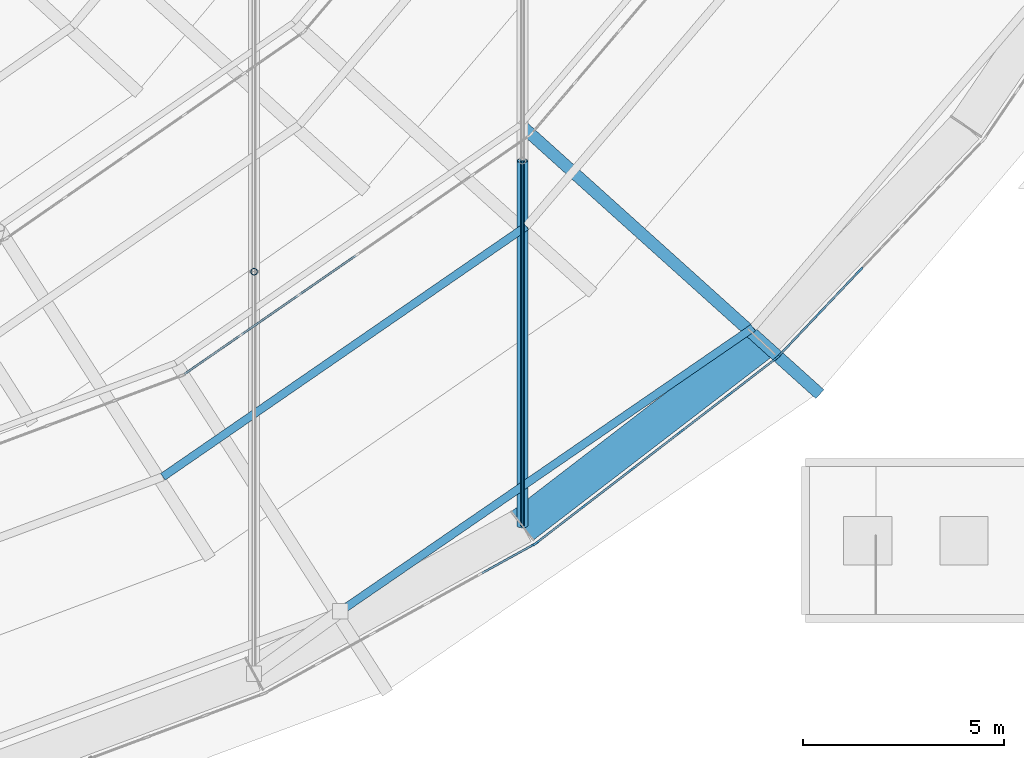
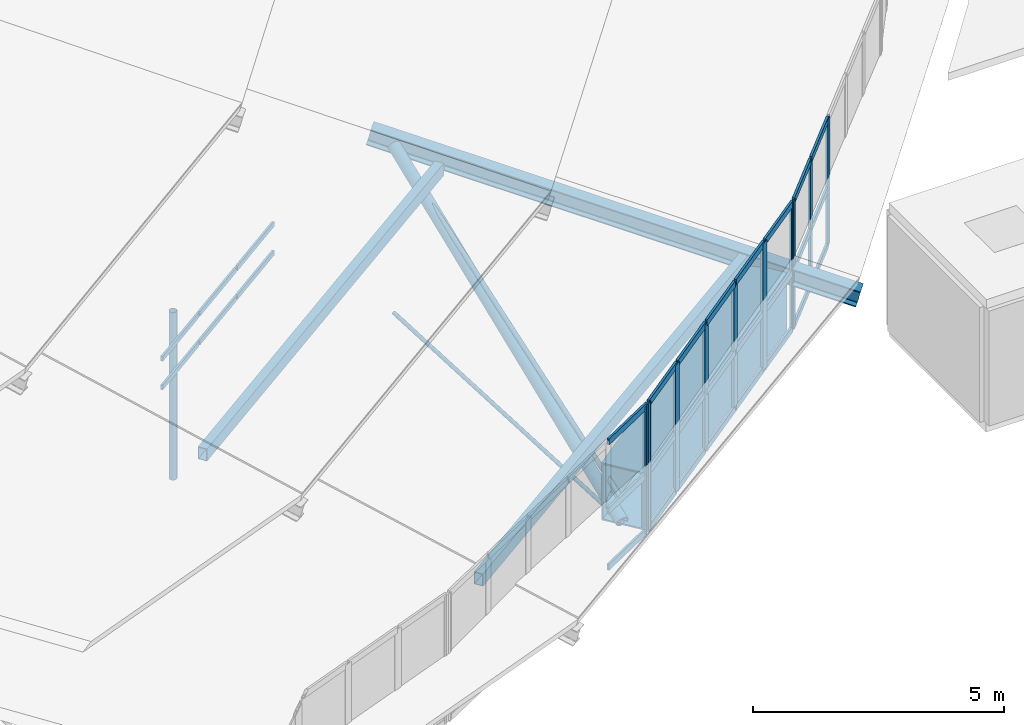
# One storey, part 76 of 173: 47 members, 1 beam, 4 elements without a shape of their own.
"""IFC4 building model written with IfcOpenShell, lengths in metres."""

from ifc_helpers import new_model, si_unit, direction, frame, origin, origin_2d, place, context, subcontext, project, spatial, rectangle, hollow_rectangle, circle, hollow_circle, i_section, extrude, material, material_profile, profile_set, type_object, element, aggregate, save


model = new_model("IFC4")

# Units and contexts
model_context = context("Model", 3, precision=1e-05, world=origin(), true_north=direction((0.0, 1.0)))
body_context = subcontext(model_context, "Body", "Model", "MODEL_VIEW")
ifc_project = project(units=[si_unit("LENGTHUNIT", "METRE"), si_unit("AREAUNIT", "SQUARE_METRE"), si_unit("VOLUMEUNIT", "CUBIC_METRE"), si_unit("PLANEANGLEUNIT", "RADIAN"), si_unit("MASSUNIT", "GRAM", prefix="KILO")], contexts=[model_context])

# Site, building, storey
site_placement = place(None, origin())
site = spatial("IfcSite", under=ifc_project, at=site_placement, CompositionType="ELEMENT")
building_placement = place(site_placement, origin())
building = spatial("IfcBuilding", under=site, at=building_placement, Name="Glasvene Arena", CompositionType="ELEMENT")
storey_placement = place(building_placement, frame((0.0, 0.0, 28.800048828125)))
storey = spatial("IfcBuildingStorey", under=building, at=storey_placement, Name="RF", CompositionType="ELEMENT", Elevation=28.800048828125)

# Beam
ifc_material_1 = material(Name="Steel S355J2", Category="steel")
ifc_material_profile_1 = material_profile(ifc_material_1, hollow_rectangle(XDim=0.89990234375, YDim=1.39990234375, WallThickness=0.034912109375, at=origin_2d()), Name="WBOX 900x1400x35")
ifc_profile_set_1 = profile_set([ifc_material_profile_1], Name="Steel S355J2")
beam_type = type_object("IfcBeamType", Name="BM-RING-BOX1400", PredefinedType="USERDEFINED", material=ifc_profile_set_1)
beam_placement = place(storey_placement, frame((121.389404296875, 36.59423828125, -0.699951171875), z_axis=(0.792826575958, 0.609447307366, 0.0), x_axis=(-0.609447307366, 0.792826575958, 0.0)))
element("IfcBeam", 1, at=beam_placement, inside=storey, type_object=beam_type, Name="Compression ring beam chord RB-35", ObjectType="RING BEAM", PredefinedType="USERDEFINED", context=body_context, shape_type="SweptSolid", body=[
    extrude(hollow_rectangle(XDim=0.89990234375, YDim=1.39990234375, WallThickness=0.034912109375, at=origin_2d()), origin(), (0.0, 0.0, 1.0), 7.524658203125),
])

# Curtain wall, member
ifc_material_2 = material(Name="Low-emissivity laminated double glazing", Category="glass")
curtain_wall_type_1 = type_object("IfcCurtainWallType", Name="CW-DRUM-773x310", PredefinedType="USERDEFINED", material=ifc_material_2)
curtain_wall_1_placement = place(storey_placement, frame((114.94921875, 32.414794921875, 0.0)))
curtain_wall_1 = element("IfcCurtainWall", 2, at=curtain_wall_1_placement, inside=storey, type_object=curtain_wall_type_1, Name="Crown compression-ring fascia curtain wall 34", ObjectType="CURTAIN WALL", PredefinedType="USERDEFINED")
ifc_material_3 = material(Name="Anodised architectural aluminium", Category="aluminium")
ifc_material_profile_2 = material_profile(ifc_material_3, rectangle(XDim=0.050048828125, YDim=0.199951171875, at=origin_2d()), Name="ALU MULLION 50x200")
ifc_profile_set_2 = profile_set([ifc_material_profile_2], Name="Anodised architectural aluminium")
member_type_1 = type_object("IfcMemberType", Name="CW-MUL-180", PredefinedType="MULLION", material=ifc_profile_set_2)
member_1_placement = place(storey_placement, frame((121.690673828125, 36.13720703125, -1.380126953125), z_axis=(0.0, 0.0, 1.0), x_axis=(-0.483387319086, 0.875406591103, 0.0)))
member_1 = element("IfcMember", 3, at=member_1_placement, type_object=member_type_1, Name="CW-077 mullion 6", PredefinedType="MULLION", context=body_context, shape_type="SweptSolid", body=[
    extrude(rectangle(XDim=0.050048828125, YDim=0.199951171875, at=origin_2d()), origin(), (0.0, 0.0, 1.0), 3.10009765625),
])

# Curtain wall, members
curtain_wall_type_2 = type_object("IfcCurtainWallType", Name="CW-DRUM-761x310", PredefinedType="USERDEFINED", material=ifc_material_2)
curtain_wall_2_placement = place(storey_placement, frame((121.71240234375, 36.1494140625, 0.0)))
curtain_wall_2 = element("IfcCurtainWall", 4, at=curtain_wall_2_placement, inside=storey, type_object=curtain_wall_type_2, Name="Crown compression-ring fascia curtain wall 35", ObjectType="CURTAIN WALL", PredefinedType="USERDEFINED")
member_2_placement = place(storey_placement, frame((121.732421875, 36.16455078125, -1.380126953125), z_axis=(0.0, 0.0, 1.0), x_axis=(-0.609894880488, 0.792482324569, 0.0)))
member_2 = element("IfcMember", 5, at=member_2_placement, type_object=member_type_1, Name="CW-076 mullion 1", PredefinedType="MULLION", context=body_context, shape_type="SweptSolid", body=[
    extrude(rectangle(XDim=0.050048828125, YDim=0.199951171875, at=origin_2d()), origin(), (0.0, 0.0, 1.0), 3.10009765625),
])
member_3_placement = place(storey_placement, frame((122.9189453125, 37.07763671875, -1.380126953125), z_axis=(0.0, 0.0, 1.0), x_axis=(-0.609894880488, 0.792482324569, 0.0)))
member_3 = element("IfcMember", 6, at=member_3_placement, type_object=member_type_1, Name="CW-076 mullion 2", PredefinedType="MULLION", context=body_context, shape_type="SweptSolid", body=[
    extrude(rectangle(XDim=0.050048828125, YDim=0.199951171875, at=origin_2d()), origin(), (0.0, 0.0, 1.0), 3.10009765625),
])
member_4_placement = place(storey_placement, frame((124.125244140625, 38.006103515625, -1.380126953125), z_axis=(0.0, 0.0, 1.0), x_axis=(-0.609894880488, 0.792482324569, 0.0)))
member_4 = element("IfcMember", 7, at=member_4_placement, type_object=member_type_1, Name="CW-076 mullion 3", PredefinedType="MULLION", context=body_context, shape_type="SweptSolid", body=[
    extrude(rectangle(XDim=0.050048828125, YDim=0.199951171875, at=origin_2d()), origin(), (0.0, 0.0, 1.0), 3.10009765625),
])
member_5_placement = place(storey_placement, frame((125.33154296875, 38.9345703125, -1.380126953125), z_axis=(0.0, 0.0, 1.0), x_axis=(-0.609894880488, 0.792482324569, 0.0)))
member_5 = element("IfcMember", 8, at=member_5_placement, type_object=member_type_1, Name="CW-076 mullion 4", PredefinedType="MULLION", context=body_context, shape_type="SweptSolid", body=[
    extrude(rectangle(XDim=0.050048828125, YDim=0.199951171875, at=origin_2d()), origin(), (0.0, 0.0, 1.0), 3.10009765625),
])
member_6_placement = place(storey_placement, frame((126.537841796875, 39.86279296875, -1.380126953125), z_axis=(0.0, 0.0, 1.0), x_axis=(-0.609894880488, 0.792482324569, 0.0)))
member_6 = element("IfcMember", 9, at=member_6_placement, type_object=member_type_1, Name="CW-076 mullion 5", PredefinedType="MULLION", context=body_context, shape_type="SweptSolid", body=[
    extrude(rectangle(XDim=0.050048828125, YDim=0.199951171875, at=origin_2d()), origin(), (0.0, 0.0, 1.0), 3.10009765625),
])
member_7_placement = place(storey_placement, frame((127.724365234375, 40.776123046875, -1.380126953125), z_axis=(0.0, 0.0, 1.0), x_axis=(-0.609894880488, 0.792482324569, 0.0)))
member_7 = element("IfcMember", 10, at=member_7_placement, type_object=member_type_1, Name="CW-076 mullion 6", PredefinedType="MULLION", context=body_context, shape_type="SweptSolid", body=[
    extrude(rectangle(XDim=0.050048828125, YDim=0.199951171875, at=origin_2d()), origin(), (0.0, 0.0, 1.0), 3.10009765625),
])

curtain_wall_type_3 = type_object("IfcCurtainWallType", Name="CW-DRUM-749x310", PredefinedType="USERDEFINED", material=ifc_material_2)
curtain_wall_3_placement = place(storey_placement, frame((127.744140625, 40.791259765625, 0.0)))
curtain_wall_3 = element("IfcCurtainWall", 11, at=curtain_wall_3_placement, inside=storey, type_object=curtain_wall_type_3, Name="Crown compression-ring fascia curtain wall 36", ObjectType="CURTAIN WALL", PredefinedType="USERDEFINED")
member_8_placement = place(storey_placement, frame((127.761474609375, 40.809326171875, -1.380126953125), z_axis=(0.0, 0.0, 1.0), x_axis=(-0.725782125252, 0.687924637344, 0.0)))
member_8 = element("IfcMember", 12, at=member_8_placement, type_object=member_type_1, Name="CW-075 mullion 1", PredefinedType="MULLION", context=body_context, shape_type="SweptSolid", body=[
    extrude(rectangle(XDim=0.050048828125, YDim=0.199951171875, at=origin_2d()), origin(), (0.0, 0.0, 1.0), 3.10009765625),
])
member_9_placement = place(storey_placement, frame((128.7744140625, 41.87841796875, -1.380126953125), z_axis=(0.0, 0.0, 1.0), x_axis=(-0.725782125252, 0.687924637344, 0.0)))
member_9 = element("IfcMember", 13, at=member_9_placement, type_object=member_type_1, Name="CW-075 mullion 2", PredefinedType="MULLION", context=body_context, shape_type="SweptSolid", body=[
    extrude(rectangle(XDim=0.050048828125, YDim=0.199951171875, at=origin_2d()), origin(), (0.0, 0.0, 1.0), 3.10009765625),
])
member_10_placement = place(storey_placement, frame((129.804931640625, 42.96533203125, -1.380126953125), z_axis=(0.0, 0.0, 1.0), x_axis=(-0.725782125252, 0.687924637344, 0.0)))
member_10 = element("IfcMember", 14, at=member_10_placement, type_object=member_type_1, Name="CW-075 mullion 3", PredefinedType="MULLION", context=body_context, shape_type="SweptSolid", body=[
    extrude(rectangle(XDim=0.050048828125, YDim=0.199951171875, at=origin_2d()), origin(), (0.0, 0.0, 1.0), 3.10009765625),
])

curtain_wall_type_4 = type_object("IfcCurtainWallType", Name="CW-PET1-1054x75", PredefinedType="USERDEFINED", material=ifc_material_2)
curtain_wall_4_placement = place(storey_placement, frame((112.925048828125, 40.350830078125, 0.0)))
curtain_wall_4 = element("IfcCurtainWall", 15, at=curtain_wall_4_placement, inside=storey, type_object=curtain_wall_type_4, Name="Petal ring 1-2 clerestory curtain wall 21", ObjectType="CURTAIN WALL", PredefinedType="USERDEFINED")
ifc_material_profile_3 = material_profile(ifc_material_3, rectangle(XDim=0.050048828125, YDim=0.1201171875, at=origin_2d()), Name="ALU TRANSOM 50x120")
ifc_profile_set_3 = profile_set([ifc_material_profile_3], Name="Anodised architectural aluminium")
member_type_2 = type_object("IfcMemberType", Name="CW-TRN-120", PredefinedType="USERDEFINED", material=ifc_profile_set_3)
member_11_placement = place(storey_placement, frame((112.966064453125, 40.379150390625, 2.60498046875), z_axis=(0.822594498335, 0.568628429917, 0.0), x_axis=(-0.568628429917, 0.822594498335, 0.0)))
member_11 = element("IfcMember", 16, at=member_11_placement, type_object=member_type_2, Name="CW-084 transom 1.1", ObjectType="TRANSOM", PredefinedType="USERDEFINED", context=body_context, shape_type="SweptSolid", body=[
    extrude(rectangle(XDim=0.050048828125, YDim=0.1201171875, at=origin_2d()), origin(), (0.0, 0.0, 1.0), 1.681396484375),
])
member_12_placement = place(storey_placement, frame((112.966064453125, 40.379150390625, 3.304931640625), z_axis=(0.822594498335, 0.568628429917, 0.0), x_axis=(-0.568628429917, 0.822594498335, 0.0)))
member_12 = element("IfcMember", 17, at=member_12_placement, type_object=member_type_2, Name="CW-084 transom 1.2", ObjectType="TRANSOM", PredefinedType="USERDEFINED", context=body_context, shape_type="SweptSolid", body=[
    extrude(rectangle(XDim=0.050048828125, YDim=0.1201171875, at=origin_2d()), origin(), (0.0, 0.0, 1.0), 1.681396484375),
])
member_13_placement = place(storey_placement, frame((114.39013671875, 41.363525390625, 2.60498046875), z_axis=(0.82255264471, 0.56868897183, 0.0), x_axis=(-0.56868897183, 0.82255264471, 0.0)))
member_13 = element("IfcMember", 18, at=member_13_placement, type_object=member_type_2, Name="CW-084 transom 2.1", ObjectType="TRANSOM", PredefinedType="USERDEFINED", context=body_context, shape_type="SweptSolid", body=[
    extrude(rectangle(XDim=0.050048828125, YDim=0.1201171875, at=origin_2d()), origin(), (0.0, 0.0, 1.0), 1.7060546875),
])
member_14_placement = place(storey_placement, frame((114.39013671875, 41.363525390625, 3.304931640625), z_axis=(0.82255264471, 0.56868897183, 0.0), x_axis=(-0.56868897183, 0.82255264471, 0.0)))
member_14 = element("IfcMember", 19, at=member_14_placement, type_object=member_type_2, Name="CW-084 transom 2.2", ObjectType="TRANSOM", PredefinedType="USERDEFINED", context=body_context, shape_type="SweptSolid", body=[
    extrude(rectangle(XDim=0.050048828125, YDim=0.1201171875, at=origin_2d()), origin(), (0.0, 0.0, 1.0), 1.7060546875),
])
member_15_placement = place(storey_placement, frame((115.834716796875, 42.362060546875, 2.60498046875), z_axis=(0.82255264471, 0.56868897183, 0.0), x_axis=(-0.56868897183, 0.82255264471, 0.0)))
member_15 = element("IfcMember", 20, at=member_15_placement, type_object=member_type_2, Name="CW-084 transom 3.1", ObjectType="TRANSOM", PredefinedType="USERDEFINED", context=body_context, shape_type="SweptSolid", body=[
    extrude(rectangle(XDim=0.050048828125, YDim=0.1201171875, at=origin_2d()), origin(), (0.0, 0.0, 1.0), 1.7060546875),
])
member_16_placement = place(storey_placement, frame((115.834716796875, 42.362060546875, 3.304931640625), z_axis=(0.82255264471, 0.56868897183, 0.0), x_axis=(-0.56868897183, 0.82255264471, 0.0)))
member_16 = element("IfcMember", 21, at=member_16_placement, type_object=member_type_2, Name="CW-084 transom 3.2", ObjectType="TRANSOM", PredefinedType="USERDEFINED", context=body_context, shape_type="SweptSolid", body=[
    extrude(rectangle(XDim=0.050048828125, YDim=0.1201171875, at=origin_2d()), origin(), (0.0, 0.0, 1.0), 1.7060546875),
])
aggregate(curtain_wall_4, [member_11, member_12, member_13, member_14, member_15, member_16])

# Member
ifc_material_profile_4 = material_profile(ifc_material_3, rectangle(XDim=0.050048828125, YDim=0.14990234375, at=origin_2d()), Name="ALU TRANSOM 50x150")
ifc_profile_set_4 = profile_set([ifc_material_profile_4], Name="Anodised architectural aluminium")
member_type_3 = type_object("IfcMemberType", Name="CW-TRN-150", PredefinedType="USERDEFINED", material=ifc_profile_set_4)
member_17_placement = place(storey_placement, frame((120.3818359375, 35.41455078125, -1.35498046875), z_axis=(0.875376563169, 0.483441695197, 0.0), x_axis=(-0.483441695197, 0.875376563169, 0.0)))
member_17 = element("IfcMember", 22, at=member_17_placement, type_object=member_type_3, Name="CW-077 transom 5.1", ObjectType="TRANSOM", PredefinedType="USERDEFINED", context=body_context, shape_type="SweptSolid", body=[
    extrude(rectangle(XDim=0.050048828125, YDim=0.14990234375, at=origin_2d()), origin(), (0.0, 0.0, 1.0), 1.469970703125),
])

member_18_placement = place(storey_placement, frame((120.3818359375, 35.41455078125, 0.02001953125), z_axis=(0.875376563169, 0.483441695197, 0.0), x_axis=(-0.483441695197, 0.875376563169, 0.0)))
member_18 = element("IfcMember", 23, at=member_18_placement, type_object=member_type_3, Name="CW-077 transom 5.2", ObjectType="TRANSOM", PredefinedType="USERDEFINED", context=body_context, shape_type="SweptSolid", body=[
    extrude(rectangle(XDim=0.050048828125, YDim=0.14990234375, at=origin_2d()), origin(), (0.0, 0.0, 1.0), 1.469970703125),
])

member_19_placement = place(storey_placement, frame((120.3818359375, 35.41455078125, 1.695068359375), z_axis=(0.875376563169, 0.483441695197, 0.0), x_axis=(-0.483441695197, 0.875376563169, 0.0)))
member_19 = element("IfcMember", 24, at=member_19_placement, type_object=member_type_3, Name="CW-077 transom 5.3", ObjectType="TRANSOM", PredefinedType="USERDEFINED", context=body_context, shape_type="SweptSolid", body=[
    extrude(rectangle(XDim=0.050048828125, YDim=0.14990234375, at=origin_2d()), origin(), (0.0, 0.0, 1.0), 1.469970703125),
])

aggregate(curtain_wall_1, [member_1, member_17, member_18, member_19])

member_20_placement = place(storey_placement, frame((121.752197265625, 36.1796875, -1.35498046875), z_axis=(0.792385615775, 0.610020520895, 0.0), x_axis=(-0.610020520895, 0.792385615775, 0.0)))
member_20 = element("IfcMember", 25, at=member_20_placement, type_object=member_type_3, Name="CW-076 transom 1.1", ObjectType="TRANSOM", PredefinedType="USERDEFINED", context=body_context, shape_type="SweptSolid", body=[
    extrude(rectangle(XDim=0.050048828125, YDim=0.14990234375, at=origin_2d()), origin(), (0.0, 0.0, 1.0), 1.447265625),
])

member_21_placement = place(storey_placement, frame((121.752197265625, 36.1796875, 0.02001953125), z_axis=(0.792385615775, 0.610020520895, 0.0), x_axis=(-0.610020520895, 0.792385615775, 0.0)))
member_21 = element("IfcMember", 26, at=member_21_placement, type_object=member_type_3, Name="CW-076 transom 1.2", ObjectType="TRANSOM", PredefinedType="USERDEFINED", context=body_context, shape_type="SweptSolid", body=[
    extrude(rectangle(XDim=0.050048828125, YDim=0.14990234375, at=origin_2d()), origin(), (0.0, 0.0, 1.0), 1.447265625),
])

member_22_placement = place(storey_placement, frame((121.752197265625, 36.1796875, 1.695068359375), z_axis=(0.792385615775, 0.610020520895, 0.0), x_axis=(-0.610020520895, 0.792385615775, 0.0)))
member_22 = element("IfcMember", 27, at=member_22_placement, type_object=member_type_3, Name="CW-076 transom 1.3", ObjectType="TRANSOM", PredefinedType="USERDEFINED", context=body_context, shape_type="SweptSolid", body=[
    extrude(rectangle(XDim=0.050048828125, YDim=0.14990234375, at=origin_2d()), origin(), (0.0, 0.0, 1.0), 1.447265625),
])

member_23_placement = place(storey_placement, frame((122.938720703125, 37.093017578125, -1.35498046875), z_axis=(0.792476018124, 0.60990307484, 0.0), x_axis=(-0.60990307484, 0.792476018124, 0.0)))
member_23 = element("IfcMember", 28, at=member_23_placement, type_object=member_type_3, Name="CW-076 transom 2.1", ObjectType="TRANSOM", PredefinedType="USERDEFINED", context=body_context, shape_type="SweptSolid", body=[
    extrude(rectangle(XDim=0.050048828125, YDim=0.14990234375, at=origin_2d()), origin(), (0.0, 0.0, 1.0), 1.47216796875),
])

member_24_placement = place(storey_placement, frame((122.938720703125, 37.093017578125, 0.02001953125), z_axis=(0.792476018124, 0.60990307484, 0.0), x_axis=(-0.60990307484, 0.792476018124, 0.0)))
member_24 = element("IfcMember", 29, at=member_24_placement, type_object=member_type_3, Name="CW-076 transom 2.2", ObjectType="TRANSOM", PredefinedType="USERDEFINED", context=body_context, shape_type="SweptSolid", body=[
    extrude(rectangle(XDim=0.050048828125, YDim=0.14990234375, at=origin_2d()), origin(), (0.0, 0.0, 1.0), 1.47216796875),
])

member_25_placement = place(storey_placement, frame((122.938720703125, 37.093017578125, 1.695068359375), z_axis=(0.792476018124, 0.60990307484, 0.0), x_axis=(-0.60990307484, 0.792476018124, 0.0)))
member_25 = element("IfcMember", 30, at=member_25_placement, type_object=member_type_3, Name="CW-076 transom 2.3", ObjectType="TRANSOM", PredefinedType="USERDEFINED", context=body_context, shape_type="SweptSolid", body=[
    extrude(rectangle(XDim=0.050048828125, YDim=0.14990234375, at=origin_2d()), origin(), (0.0, 0.0, 1.0), 1.47216796875),
])

member_26_placement = place(storey_placement, frame((124.14501953125, 38.021240234375, -1.35498046875), z_axis=(0.792476018124, 0.60990307484, 0.0), x_axis=(-0.60990307484, 0.792476018124, 0.0)))
member_26 = element("IfcMember", 31, at=member_26_placement, type_object=member_type_3, Name="CW-076 transom 3.1", ObjectType="TRANSOM", PredefinedType="USERDEFINED", context=body_context, shape_type="SweptSolid", body=[
    extrude(rectangle(XDim=0.050048828125, YDim=0.14990234375, at=origin_2d()), origin(), (0.0, 0.0, 1.0), 1.47216796875),
])

member_27_placement = place(storey_placement, frame((124.14501953125, 38.021240234375, 0.02001953125), z_axis=(0.792476018124, 0.60990307484, 0.0), x_axis=(-0.60990307484, 0.792476018124, 0.0)))
member_27 = element("IfcMember", 32, at=member_27_placement, type_object=member_type_3, Name="CW-076 transom 3.2", ObjectType="TRANSOM", PredefinedType="USERDEFINED", context=body_context, shape_type="SweptSolid", body=[
    extrude(rectangle(XDim=0.050048828125, YDim=0.14990234375, at=origin_2d()), origin(), (0.0, 0.0, 1.0), 1.47216796875),
])

member_28_placement = place(storey_placement, frame((124.14501953125, 38.021240234375, 1.695068359375), z_axis=(0.792476018124, 0.60990307484, 0.0), x_axis=(-0.60990307484, 0.792476018124, 0.0)))
member_28 = element("IfcMember", 33, at=member_28_placement, type_object=member_type_3, Name="CW-076 transom 3.3", ObjectType="TRANSOM", PredefinedType="USERDEFINED", context=body_context, shape_type="SweptSolid", body=[
    extrude(rectangle(XDim=0.050048828125, YDim=0.14990234375, at=origin_2d()), origin(), (0.0, 0.0, 1.0), 1.47216796875),
])

member_29_placement = place(storey_placement, frame((125.351318359375, 38.94970703125, -1.35498046875), z_axis=(0.792476018124, 0.60990307484, 0.0), x_axis=(-0.60990307484, 0.792476018124, 0.0)))
member_29 = element("IfcMember", 34, at=member_29_placement, type_object=member_type_3, Name="CW-076 transom 4.1", ObjectType="TRANSOM", PredefinedType="USERDEFINED", context=body_context, shape_type="SweptSolid", body=[
    extrude(rectangle(XDim=0.050048828125, YDim=0.14990234375, at=origin_2d()), origin(), (0.0, 0.0, 1.0), 1.47216796875),
])

member_30_placement = place(storey_placement, frame((125.351318359375, 38.94970703125, 0.02001953125), z_axis=(0.792476018124, 0.60990307484, 0.0), x_axis=(-0.60990307484, 0.792476018124, 0.0)))
member_30 = element("IfcMember", 35, at=member_30_placement, type_object=member_type_3, Name="CW-076 transom 4.2", ObjectType="TRANSOM", PredefinedType="USERDEFINED", context=body_context, shape_type="SweptSolid", body=[
    extrude(rectangle(XDim=0.050048828125, YDim=0.14990234375, at=origin_2d()), origin(), (0.0, 0.0, 1.0), 1.47216796875),
])

member_31_placement = place(storey_placement, frame((125.351318359375, 38.94970703125, 1.695068359375), z_axis=(0.792476018124, 0.60990307484, 0.0), x_axis=(-0.60990307484, 0.792476018124, 0.0)))
member_31 = element("IfcMember", 36, at=member_31_placement, type_object=member_type_3, Name="CW-076 transom 4.3", ObjectType="TRANSOM", PredefinedType="USERDEFINED", context=body_context, shape_type="SweptSolid", body=[
    extrude(rectangle(XDim=0.050048828125, YDim=0.14990234375, at=origin_2d()), origin(), (0.0, 0.0, 1.0), 1.47216796875),
])

member_32_placement = place(storey_placement, frame((126.5576171875, 39.878173828125, -1.35498046875), z_axis=(0.792529911732, 0.609833041914, 0.0), x_axis=(-0.609833041914, 0.792529911732, 0.0)))
member_32 = element("IfcMember", 37, at=member_32_placement, type_object=member_type_3, Name="CW-076 transom 5.1", ObjectType="TRANSOM", PredefinedType="USERDEFINED", context=body_context, shape_type="SweptSolid", body=[
    extrude(rectangle(XDim=0.050048828125, YDim=0.14990234375, at=origin_2d()), origin(), (0.0, 0.0, 1.0), 1.447265625),
])

member_33_placement = place(storey_placement, frame((126.5576171875, 39.878173828125, 0.02001953125), z_axis=(0.792529911732, 0.609833041914, 0.0), x_axis=(-0.609833041914, 0.792529911732, 0.0)))
member_33 = element("IfcMember", 38, at=member_33_placement, type_object=member_type_3, Name="CW-076 transom 5.2", ObjectType="TRANSOM", PredefinedType="USERDEFINED", context=body_context, shape_type="SweptSolid", body=[
    extrude(rectangle(XDim=0.050048828125, YDim=0.14990234375, at=origin_2d()), origin(), (0.0, 0.0, 1.0), 1.447265625),
])

member_34_placement = place(storey_placement, frame((126.5576171875, 39.878173828125, 1.695068359375), z_axis=(0.792529911732, 0.609833041914, 0.0), x_axis=(-0.609833041914, 0.792529911732, 0.0)))
member_34 = element("IfcMember", 39, at=member_34_placement, type_object=member_type_3, Name="CW-076 transom 5.3", ObjectType="TRANSOM", PredefinedType="USERDEFINED", context=body_context, shape_type="SweptSolid", body=[
    extrude(rectangle(XDim=0.050048828125, YDim=0.14990234375, at=origin_2d()), origin(), (0.0, 0.0, 1.0), 1.447265625),
])

aggregate(curtain_wall_2, [member_2, member_3, member_4, member_5, member_6, member_7, member_20, member_21, member_22, member_23, member_24, member_25, member_26, member_27, member_28, member_29, member_30, member_31, member_32, member_33, member_34])

member_35_placement = place(storey_placement, frame((127.778564453125, 40.82763671875, -1.35498046875), z_axis=(0.687977849448, 0.725731685038, 0.0), x_axis=(-0.725731685038, 0.687977849448, 0.0)))
member_35 = element("IfcMember", 40, at=member_35_placement, type_object=member_type_3, Name="CW-075 transom 1.1", ObjectType="TRANSOM", PredefinedType="USERDEFINED", context=body_context, shape_type="SweptSolid", body=[
    extrude(rectangle(XDim=0.050048828125, YDim=0.14990234375, at=origin_2d()), origin(), (0.0, 0.0, 1.0), 1.422607421875),
])

member_36_placement = place(storey_placement, frame((127.778564453125, 40.82763671875, 0.02001953125), z_axis=(0.687977849448, 0.725731685038, 0.0), x_axis=(-0.725731685038, 0.687977849448, 0.0)))
member_36 = element("IfcMember", 41, at=member_36_placement, type_object=member_type_3, Name="CW-075 transom 1.2", ObjectType="TRANSOM", PredefinedType="USERDEFINED", context=body_context, shape_type="SweptSolid", body=[
    extrude(rectangle(XDim=0.050048828125, YDim=0.14990234375, at=origin_2d()), origin(), (0.0, 0.0, 1.0), 1.422607421875),
])

member_37_placement = place(storey_placement, frame((127.778564453125, 40.82763671875, 1.695068359375), z_axis=(0.687977849448, 0.725731685038, 0.0), x_axis=(-0.725731685038, 0.687977849448, 0.0)))
member_37 = element("IfcMember", 42, at=member_37_placement, type_object=member_type_3, Name="CW-075 transom 1.3", ObjectType="TRANSOM", PredefinedType="USERDEFINED", context=body_context, shape_type="SweptSolid", body=[
    extrude(rectangle(XDim=0.050048828125, YDim=0.14990234375, at=origin_2d()), origin(), (0.0, 0.0, 1.0), 1.422607421875),
])

member_38_placement = place(storey_placement, frame((128.791748046875, 41.896484375, -1.35498046875), z_axis=(0.687880286025, 0.725824160591, 0.0), x_axis=(-0.725824160591, 0.687880286025, 0.0)))
member_38 = element("IfcMember", 43, at=member_38_placement, type_object=member_type_3, Name="CW-075 transom 2.1", ObjectType="TRANSOM", PredefinedType="USERDEFINED", context=body_context, shape_type="SweptSolid", body=[
    extrude(rectangle(XDim=0.050048828125, YDim=0.14990234375, at=origin_2d()), origin(), (0.0, 0.0, 1.0), 1.44775390625),
])

member_39_placement = place(storey_placement, frame((128.791748046875, 41.896484375, 0.02001953125), z_axis=(0.687880286025, 0.725824160591, 0.0), x_axis=(-0.725824160591, 0.687880286025, 0.0)))
member_39 = element("IfcMember", 44, at=member_39_placement, type_object=member_type_3, Name="CW-075 transom 2.2", ObjectType="TRANSOM", PredefinedType="USERDEFINED", context=body_context, shape_type="SweptSolid", body=[
    extrude(rectangle(XDim=0.050048828125, YDim=0.14990234375, at=origin_2d()), origin(), (0.0, 0.0, 1.0), 1.44775390625),
])

member_40_placement = place(storey_placement, frame((128.791748046875, 41.896484375, 1.695068359375), z_axis=(0.687880286025, 0.725824160591, 0.0), x_axis=(-0.725824160591, 0.687880286025, 0.0)))
member_40 = element("IfcMember", 45, at=member_40_placement, type_object=member_type_3, Name="CW-075 transom 2.3", ObjectType="TRANSOM", PredefinedType="USERDEFINED", context=body_context, shape_type="SweptSolid", body=[
    extrude(rectangle(XDim=0.050048828125, YDim=0.14990234375, at=origin_2d()), origin(), (0.0, 0.0, 1.0), 1.44775390625),
])

aggregate(curtain_wall_3, [member_8, member_9, member_10, member_35, member_36, member_37, member_38, member_39, member_40])

# Members
ifc_material_4 = material(Name="High-strength steel spiral strand S460", Category="steel")
ifc_material_profile_5 = material_profile(ifc_material_4, circle(Radius=0.052490234375, at=origin_2d()), Name="LCSS D105")
ifc_profile_set_5 = profile_set([ifc_material_profile_5], Name="High-strength steel spiral strand S460")
member_type_4 = type_object("IfcMemberType", Name="MB-CABLE-105", PredefinedType="USERDEFINED", material=ifc_profile_set_5)
member_41_placement = place(storey_placement, frame((121.389404296875, 36.59423828125, -0.780029296875), z_axis=(0.0, 0.946316907349, 0.323240329887), x_axis=(-1.0, 0.0, 0.0)))
element("IfcMember", 46, at=member_41_placement, inside=storey, type_object=member_type_4, Name="Upper lens roof cable NS01-01", ObjectType="ROOF CABLE", PredefinedType="USERDEFINED", context=body_context, shape_type="SweptSolid", body=[
    extrude(circle(Radius=0.052490234375, at=origin_2d()), origin(), (0.0, 0.0, 1.0), 9.617919921875),
])
ifc_material_profile_6 = material_profile(ifc_material_4, circle(Radius=0.044921875, at=origin_2d()), Name="LCSS D90")
ifc_profile_set_6 = profile_set([ifc_material_profile_6], Name="High-strength steel spiral strand S460")
member_type_5 = type_object("IfcMemberType", Name="MB-CABLE-90", PredefinedType="USERDEFINED", material=ifc_profile_set_6)
member_42_placement = place(storey_placement, frame((121.389404296875, 36.59423828125, -1.320068359375), z_axis=(0.0, 0.998869713277, -0.04753205127), x_axis=(-1.0, 0.0, 0.0)))
element("IfcMember", 47, at=member_42_placement, inside=storey, type_object=member_type_5, Name="Lower stabilization roof cable NS01-01", ObjectType="ROOF CABLE", PredefinedType="USERDEFINED", context=body_context, shape_type="SweptSolid", body=[
    extrude(circle(Radius=0.044921875, at=origin_2d()), origin(), (0.0, 0.0, 1.0), 9.11181640625),
])
ifc_material_profile_7 = material_profile(ifc_material_1, i_section(OverallWidth=0.300048828125, OverallDepth=0.39990234375, WebThickness=0.013427734375, FlangeThickness=0.02392578125, FilletRadius=0.027099609375, at=origin_2d()), Name="HEB 400")
ifc_profile_set_7 = profile_set([ifc_material_profile_7], Name="Steel S355J2")
member_type_6 = type_object("IfcMemberType", Name="MB-CHORD-HEB400", PredefinedType="CHORD", material=ifc_profile_set_7)
member_43_placement = place(storey_placement, frame((128.76953125, 39.907470703125, -0.400146484375), z_axis=(-0.721052228136, 0.648949376347, 0.242792897837), x_axis=(-0.668966081985, -0.743292930919, 0.0)))
element("IfcMember", 48, at=member_43_placement, inside=storey, type_object=member_type_6, Name="Petal ring 1 radial rib 22", PredefinedType="CHORD", context=body_context, shape_type="SweptSolid", body=[
    extrude(i_section(OverallWidth=0.300048828125, OverallDepth=0.39990234375, WebThickness=0.013427734375, FlangeThickness=0.02392578125, FilletRadius=0.027099609375, at=origin_2d()), origin(), (0.0, 0.0, 1.0), 10.296875),
])
ifc_material_profile_8 = material_profile(ifc_material_1, hollow_rectangle(XDim=0.199951171875, YDim=0.300048828125, WallThickness=0.012451171875, at=origin_2d()), Name="RHS 300x200x12.5")
ifc_profile_set_8 = profile_set([ifc_material_profile_8], Name="Steel S355J2")
member_type_7 = type_object("IfcMemberType", Name="MB-PURLIN-RHS300", PredefinedType="PURLIN", material=ifc_profile_set_8)
member_44_placement = place(storey_placement, frame((116.85009765625, 34.4619140625, 0.16748046875), z_axis=(0.824221560776, 0.566267444545, 0.0), x_axis=(-0.566267444545, 0.824221560776, 0.0)))
element("IfcMember", 49, at=member_44_placement, inside=storey, type_object=member_type_7, Name="Petal ring 1 outer purlin 21", PredefinedType="PURLIN", context=body_context, shape_type="SweptSolid", body=[
    extrude(hollow_rectangle(XDim=0.199951171875, YDim=0.300048828125, WallThickness=0.012451171875, at=origin_2d()), origin(), (0.0, 0.0, 1.0), 12.488525390625),
])
member_45_placement = place(storey_placement, frame((112.425048828125, 37.815185546875, 2.728515625), z_axis=(0.823349339751, 0.567534901773, 0.0), x_axis=(-0.567534901773, 0.823349339751, 0.0)))
element("IfcMember", 50, at=member_45_placement, inside=storey, type_object=member_type_7, Name="Petal ring 2 outer purlin 21", PredefinedType="PURLIN", context=body_context, shape_type="SweptSolid", body=[
    extrude(hollow_rectangle(XDim=0.199951171875, YDim=0.300048828125, WallThickness=0.012451171875, at=origin_2d()), origin(), (0.0, 0.0, 1.0), 11.0048828125),
])
ifc_material_profile_9 = material_profile(ifc_material_1, hollow_circle(Radius=0.084228515625, WallThickness=0.008056640625, at=origin_2d()), Name="CHS 168.3x8.0")
ifc_profile_set_9 = profile_set([ifc_material_profile_9], Name="Steel S355J2")
member_type_8 = type_object("IfcMemberType", Name="MB-WEB-CHS168", PredefinedType="BRACE", material=ifc_profile_set_9)
member_46_placement = place(storey_placement, frame((114.699462890625, 42.928466796875, -1.753173828125), z_axis=(0.0, 0.0, 1.0), x_axis=(1.0, 0.0, 0.0)))
element("IfcMember", 51, at=member_46_placement, inside=storey, type_object=member_type_8, Name="Cable-truss vertical strut NS02-01", PredefinedType="BRACE", context=body_context, shape_type="SweptSolid", body=[
    extrude(hollow_circle(Radius=0.084228515625, WallThickness=0.008056640625, at=origin_2d()), origin(), (0.0, 0.0, 1.0), 4.08203125),
])
ifc_material_profile_10 = material_profile(ifc_material_1, hollow_circle(Radius=0.136474609375, WallThickness=0.012451171875, at=origin_2d()), Name="CHS 273.0x12.5")
ifc_profile_set_10 = profile_set([ifc_material_profile_10], Name="Steel S355J2")
member_type_9 = type_object("IfcMemberType", Name="MB-WEB-CHS273", PredefinedType="BRACE", material=ifc_profile_set_10)
member_47_placement = place(storey_placement, frame((121.389404296875, 36.59423828125, -1.320068359375), z_axis=(0.0, 0.928184500582, 0.372120320432), x_axis=(-1.0, 0.0, 0.0)))
element("IfcMember", 52, at=member_47_placement, inside=storey, type_object=member_type_9, Name="Cable-truss diagonal web strut NS01-01", PredefinedType="BRACE", context=body_context, shape_type="SweptSolid", body=[
    extrude(hollow_circle(Radius=0.136474609375, WallThickness=0.012451171875, at=origin_2d()), origin(), (0.0, 0.0, 1.0), 9.8056640625),
])

save(model, "model.ifc")
